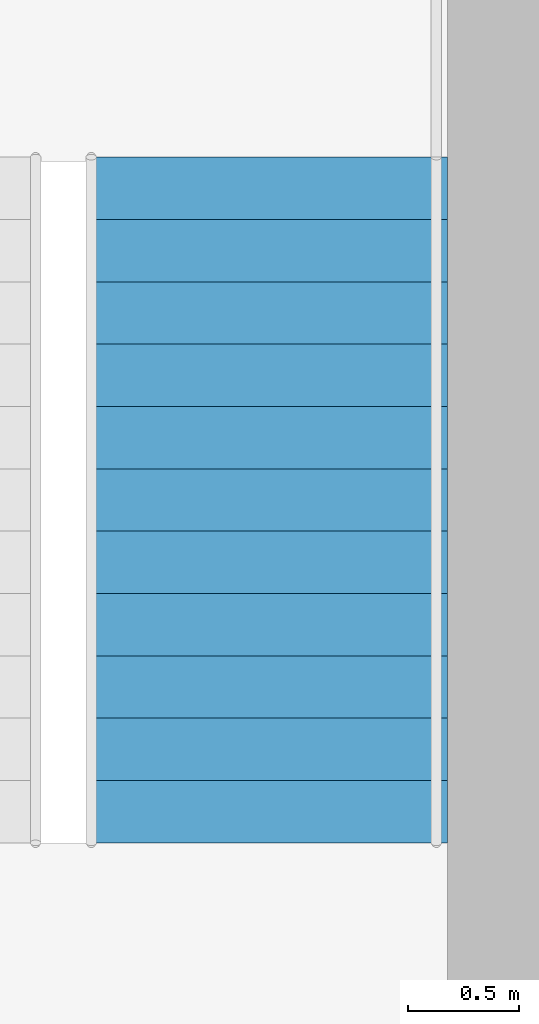
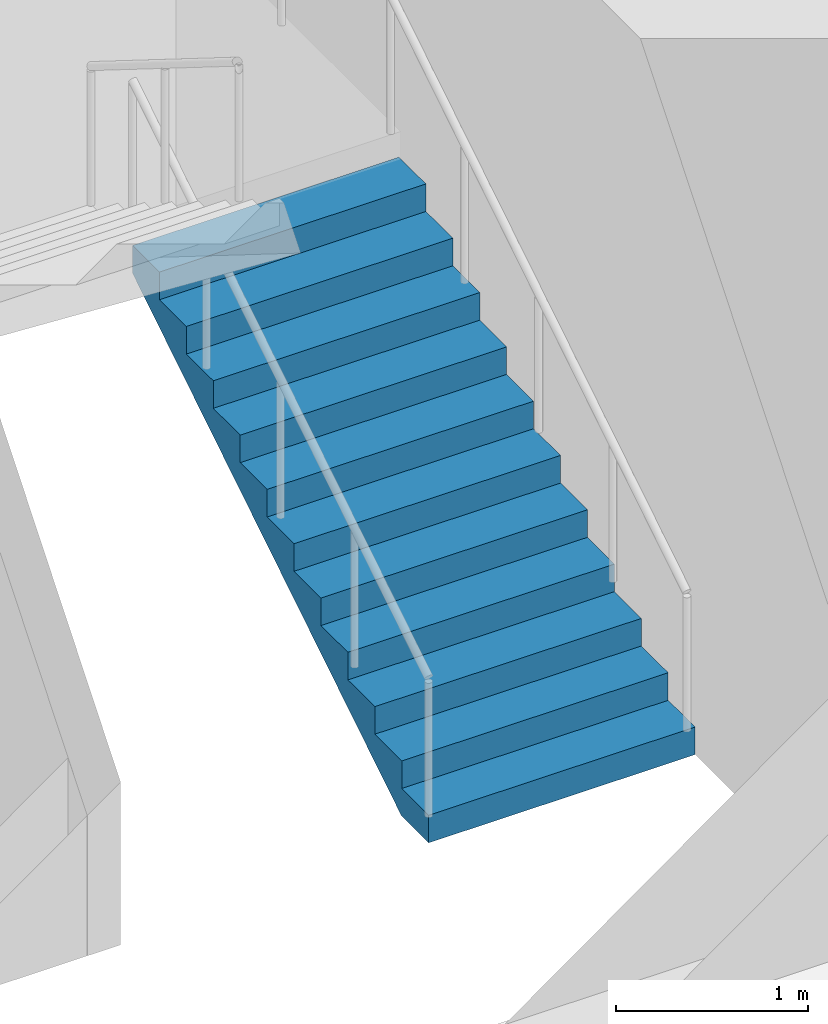
# One storey, part 11 of 12: 1 stair flight, 1 element without a shape of its own.
"""IFC4 building model written with IfcOpenShell, lengths in metres."""

import ifcopenshell
import ifcopenshell.guid

model = None  # the IFC model being written
_history = None  # IfcOwnerHistory: only IFC2X3 demands one
_inside = {}  # id of a spatial element -> (the spatial element, [elements in it])
_under = {}  # id of a project, library or spatial element -> (it, [spatial elements below it])
_declared = {}  # id of a project -> (the project, [libraries it declares])
_typed = {}  # id of a type object -> (the type object, [elements of that type])
_made_of = {}  # id of a material, layer set ... -> (it, [elements and type objects made of it])


def new_model(schema):
    """Start an empty IFC model of exactly this schema.

    Asked for "IFC4X3", IfcOpenShell would pick the latest addendum, in which some entities
    have other attributes; the version numbers below select the first issue.
    IFC2X3 requires an IfcOwnerHistory on every rooted entity: one is made here for all.
    """
    global model, _history
    if schema == "IFC4X3":
        model = ifcopenshell.file(schema_version=(4, 3, 0, 0))
    else:
        model = ifcopenshell.file(schema=schema)
    _inside.clear()
    _under.clear()
    _declared.clear()
    _typed.clear()
    _made_of.clear()
    _history = None
    if model.schema == "IFC2X3":
        org = make("IfcOrganization", Name="unknown")
        user = make(
            "IfcPersonAndOrganization",
            ThePerson=make("IfcPerson", FamilyName="unknown"),
            TheOrganization=org,
        )
        app = make(
            "IfcApplication",
            ApplicationDeveloper=org,
            Version="unknown",
            ApplicationFullName="unknown",
            ApplicationIdentifier="unknown",
        )
        _history = make(
            "IfcOwnerHistory",
            OwningUser=user,
            OwningApplication=app,
            ChangeAction="ADDED",
            CreationDate=0,
        )
    return model


def make(cls, **values):
    """One entity of the class cls with the attributes given. An attribute that is None is left unset."""
    return model.create_entity(
        cls, **{name: value for name, value in values.items() if value is not None}
    )


def rooted(cls, **values):
    """An entity with a GlobalId (a new one), such as an element, a storey or a relation."""
    return make(cls, GlobalId=ifcopenshell.guid.new(), OwnerHistory=_history, **values)


def si_unit(unit_type, name, prefix=None):
    """IfcSIUnit, for example si_unit("LENGTHUNIT", "METRE", prefix="MILLI")."""
    return make("IfcSIUnit", UnitType=unit_type, Prefix=prefix, Name=name)


def assignment(units):
    """IfcUnitAssignment: the units of a project."""
    return None if units is None else make("IfcUnitAssignment", Units=units)


def point(xyz):
    """IfcCartesianPoint."""
    return None if xyz is None else make("IfcCartesianPoint", Coordinates=xyz)


def direction(xyz):
    """IfcDirection."""
    return None if xyz is None else make("IfcDirection", DirectionRatios=xyz)


def frame(location, z_axis=None, x_axis=None):
    """IfcAxis2Placement3D, a coordinate frame: its origin and axes. An axis left out is left unset."""
    return make(
        "IfcAxis2Placement3D",
        Location=point(location),
        Axis=direction(z_axis),
        RefDirection=direction(x_axis),
    )


def origin():
    """The frame at (0, 0, 0) with its axes left unset."""
    return frame((0.0, 0.0, 0.0))


def place(relative_to, where):
    """IfcLocalPlacement: puts the frame where relative to a parent placement (None: the world)."""
    return make(
        "IfcLocalPlacement", PlacementRelTo=relative_to, RelativePlacement=where
    )


def context(
    kind, dimensions, precision=None, world=None, true_north=None, identifier=None
):
    """IfcGeometricRepresentationContext, for example the 3D "Model" context."""
    return make(
        "IfcGeometricRepresentationContext",
        ContextIdentifier=identifier,
        ContextType=kind,
        CoordinateSpaceDimension=dimensions,
        Precision=precision,
        WorldCoordinateSystem=world,
        TrueNorth=true_north,
    )


def subcontext(parent, identifier, kind, view, scale=None):
    """IfcGeometricRepresentationSubContext, for example "Body" below "Model"."""
    return make(
        "IfcGeometricRepresentationSubContext",
        ContextIdentifier=identifier,
        ContextType=kind,
        ParentContext=parent,
        TargetScale=scale,
        TargetView=view,
    )


def project(units=None, contexts=None):
    """IfcProject with its units and contexts."""
    return rooted(
        "IfcProject",
        Name="project",
        RepresentationContexts=contexts,
        UnitsInContext=assignment(units),
    )


def spatial(cls, under=None, at=None, **own):
    """A site, building, storey or space (cls), placed at a placement, below another one or the project."""
    s = rooted(cls, ObjectPlacement=at, **own)
    if under is not None:
        _under.setdefault(under.id(), (under, []))[1].append(s)
    return s


def polyline(points):
    """IfcPolyline through the points."""
    return make("IfcPolyline", Points=[point(p) for p in points])


def outline(outer, holes=None, kind="AREA"):
    """IfcArbitraryClosedProfileDef: a profile drawn as a closed curve; with holes, ...WithVoids."""
    if holes is None:
        return make("IfcArbitraryClosedProfileDef", ProfileType=kind, OuterCurve=outer)
    return make(
        "IfcArbitraryProfileDefWithVoids",
        ProfileType=kind,
        OuterCurve=outer,
        InnerCurves=holes,
    )


def extrude(swept, where, along, depth):
    """IfcExtrudedAreaSolid: the profile swept, set in the frame where, extruded along a direction by depth."""
    return make(
        "IfcExtrudedAreaSolid",
        SweptArea=swept,
        Position=where,
        ExtrudedDirection=direction(along),
        Depth=depth,
    )


def shape(context_of_items, identifier, shape_type, items):
    """IfcShapeRepresentation: the items that make up one representation, for example the "Body"."""
    return make(
        "IfcShapeRepresentation",
        ContextOfItems=context_of_items,
        RepresentationIdentifier=identifier,
        RepresentationType=shape_type,
        Items=items,
    )


def material(Name=None, Category=None):
    """IfcMaterial."""
    return make("IfcMaterial", Name=Name, Category=Category)


def made_of(thing, what):
    """Note that an element or type object is made of a material, layer set ...; save() writes the relation."""
    if what is not None:
        _made_of.setdefault(what.id(), (what, []))[1].append(thing)
    return thing


def type_object(cls, material=None, **own):
    """A type object (cls), such as IfcWallType, which elements share."""
    return made_of(rooted(cls, **own), material)


def element(
    cls,
    number,
    at=None,
    inside=None,
    cuts=None,
    type_object=None,
    material=None,
    context=None,
    identifier="Body",
    shape_type=None,
    held_by="IfcProductDefinitionShape",
    body=None,
    shapes=None,
    **own,
):
    """One element of the class cls, such as IfcWall. Its Tag is "e" and its number.

    at: its placement. inside: the storey or other place that contains it. cuts: it is an
    opening in that element (IfcRelVoidsElement). A single representation is given by context,
    identifier, shape_type and body (its items); several are given by shapes. held_by: the class
    of the entity that holds the representations. save() writes the other relations.
    """
    e = rooted(cls, Tag="e%d" % number, ObjectPlacement=at, **own)
    if body is not None:
        shapes = [shape(context, identifier, shape_type, body)]
    if shapes is not None:
        e.Representation = make(held_by, Representations=shapes)
    if inside is not None:
        _inside.setdefault(inside.id(), (inside, []))[1].append(e)
    if cuts is not None:
        rooted(
            "IfcRelVoidsElement", RelatingBuildingElement=cuts, RelatedOpeningElement=e
        )
    if type_object is not None:
        _typed.setdefault(type_object.id(), (type_object, []))[1].append(e)
    return made_of(e, material)


def aggregate(whole, parts):
    """IfcRelAggregates: a whole, such as a stair, and the parts it consists of."""
    return rooted("IfcRelAggregates", RelatingObject=whole, RelatedObjects=parts)


def save(model, path):
    """Write the relations noted so far, then the file.

    IfcRelAggregates (storeys below a building ...), IfcRelContainedInSpatialStructure (elements
    in a storey), IfcRelDefinesByType, IfcRelAssociatesMaterial and IfcRelDeclares: one each for
    every whole, place, type object, material and project.
    """
    for whole, parts in _under.values():
        aggregate(whole, parts)
    for where, things in _inside.values():
        rooted(
            "IfcRelContainedInSpatialStructure",
            RelatedElements=things,
            RelatingStructure=where,
        )
    for kind, things in _typed.values():
        rooted("IfcRelDefinesByType", RelatedObjects=things, RelatingType=kind)
    for what, things in _made_of.values():
        rooted("IfcRelAssociatesMaterial", RelatedObjects=things, RelatingMaterial=what)
    for by, libraries in _declared.values():
        rooted("IfcRelDeclares", RelatingContext=by, RelatedDefinitions=libraries)
    model.write(path)


model = new_model("IFC4")

# Units and contexts
model_context = context("Model", 3, precision=1e-05, world=origin(), true_north=direction((0.0, 1.0)))
body_context = subcontext(model_context, "Body", "Model", "MODEL_VIEW")
ifc_project = project(units=[si_unit("LENGTHUNIT", "METRE"), si_unit("AREAUNIT", "SQUARE_METRE"), si_unit("VOLUMEUNIT", "CUBIC_METRE"), si_unit("PLANEANGLEUNIT", "RADIAN"), si_unit("MASSUNIT", "GRAM", prefix="KILO")], contexts=[model_context])

# Site, building, storey
site_placement = place(None, origin())
site = spatial("IfcSite", under=ifc_project, at=site_placement, CompositionType="ELEMENT")
building_placement = place(site_placement, origin())
building = spatial("IfcBuilding", under=site, at=building_placement, Name="Ghaith Harvest Tower", CompositionType="ELEMENT")
storey_placement = place(building_placement, frame((0.0, 0.0, 199.0)))
storey = spatial("IfcBuildingStorey", under=building, at=storey_placement, Name="L43", CompositionType="ELEMENT", Elevation=199.0)

# Stair, stair flight
ifc_material_1 = material(Name="Concrete C40/50, precast", Category="concrete")
stair_type = type_object("IfcStairType", Name="CORE STAIR 24R", PredefinedType="HALF_TURN_STAIR", material=ifc_material_1)
stair_placement = place(storey_placement, origin())
stair = element("IfcStair", 1, at=stair_placement, inside=storey, type_object=stair_type, Name="Stair ST2 L43", PredefinedType="HALF_TURN_STAIR")
ifc_material_2 = material(Name="Concrete C40/50, precast", Category="concrete")
stair_flight_type = type_object("IfcStairFlightType", Name="CORE FLIGHT 12R 1600", PredefinedType="STRAIGHT", material=ifc_material_2)
stair_flight_placement = place(storey_placement, frame((12.0, 3.39990234375, 0.0), z_axis=(0.0, 0.0, 1.0), x_axis=(0.0, 1.0, 0.0)))
stair_flight = element("IfcStairFlight", 2, at=stair_flight_placement, type_object=stair_flight_type, Name="ST2 flight 1", NumberOfRisers=12, NumberOfTreads=11, PredefinedType="STRAIGHT", RiserHeight=0.175, TreadLength=0.28, context=body_context, shape_type="SweptSolid", body=[
    extrude(outline(polyline([(0.0, 0.0), (0.0, 0.175048828125), (0.280029296875, 0.175048828125), (0.280029296875, 0.35009765625), (0.56005859375, 0.35009765625), (0.56005859375, 0.52490234375), (0.840087890625, 0.52490234375), (0.840087890625, 0.699951171875), (1.1201171875, 0.699951171875), (1.1201171875, 0.875), (1.39990234375, 0.875), (1.39990234375, 1.050048828125), (1.679931640625, 1.050048828125), (1.679931640625, 1.22509765625), (1.9599609375, 1.22509765625), (1.9599609375, 1.39990234375), (2.239990234375, 1.39990234375), (2.239990234375, 1.574951171875), (2.52001953125, 1.574951171875), (2.52001953125, 1.75), (2.800048828125, 1.75), (2.800048828125, 1.925048828125), (3.080078125, 1.925048828125), (3.080078125, 2.10009765625), (3.080078125, 1.748291015625), (0.28271484375, 0.0), (0.0, 0.0)])), frame((0.0, 0.800048828125, 0.0), z_axis=(0.0, -1.0, 0.0), x_axis=(1.0, 0.0, 0.0)), (0.0, 0.0, 1.0), 1.60009765625),
])
aggregate(stair, [stair_flight])

save(model, "model.ifc")
